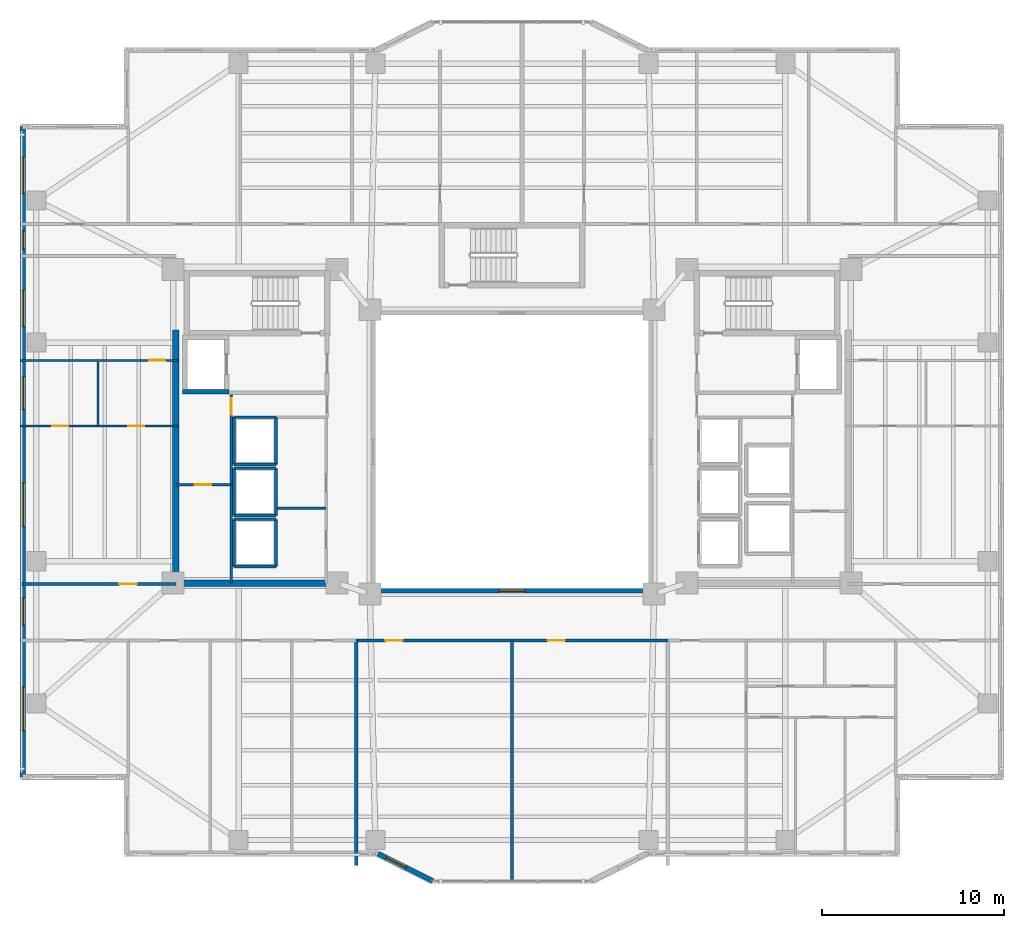
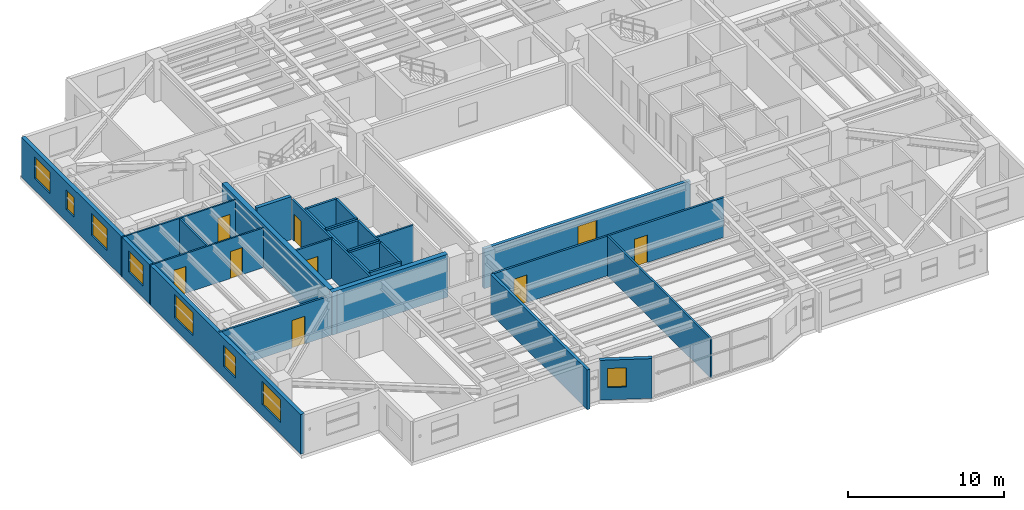
# One storey, part 6 of 18: 28 walls, 9 windows, 8 doors, 17 openings.
"""IFC4 building model written with IfcOpenShell, lengths in metres."""

from ifc_helpers import new_model, si_unit, direction, frame, frame_2d, origin, place, context, subcontext, project, spatial, rectangle, extrude, material, layer, layer_set, type_object, element, fill, save


model = new_model("IFC4")

# Units and contexts
model_context = context("Model", 3, precision=1e-05, world=origin(), true_north=direction((0.0, 1.0)))
body_context = subcontext(model_context, "Body", "Model", "MODEL_VIEW")
ifc_project = project(units=[si_unit("LENGTHUNIT", "METRE"), si_unit("AREAUNIT", "SQUARE_METRE"), si_unit("VOLUMEUNIT", "CUBIC_METRE"), si_unit("PLANEANGLEUNIT", "RADIAN"), si_unit("MASSUNIT", "GRAM", prefix="KILO")], contexts=[model_context])

# Site, building, storey
site_placement = place(None, origin())
site = spatial("IfcSite", under=ifc_project, at=site_placement, CompositionType="ELEMENT")
building_placement = place(site_placement, origin())
building = spatial("IfcBuilding", under=site, at=building_placement, Name="Tarnavaz Court Tower", CompositionType="ELEMENT")
storey_placement = place(building_placement, frame((0.0, 0.0, 108.449951171875)))
storey = spatial("IfcBuildingStorey", under=building, at=storey_placement, Name="L29", CompositionType="ELEMENT", Elevation=108.449951171875)

# Walls
ifc_material_1 = material(Name="Concrete C60/75", Category="concrete")
ifc_layer_1 = layer(ifc_material_1, 0.25)
ifc_layer_set_1 = layer_set([ifc_layer_1], Name="Concrete C60/75")
wall_type_1 = type_object("IfcWallType", Name="WL-CORE-250-C60", PredefinedType="SHEAR", material=ifc_layer_set_1)
wall_1_placement = place(storey_placement, frame((-18.074951171875, 3.300048828125, 0.0), z_axis=(0.0, 0.0, 1.0), x_axis=(1.0, 0.0, 0.0)))
element("IfcWall", 1, at=wall_1_placement, inside=storey, type_object=wall_type_1, Name="L29 Lift FL-W1 Shaft Wall 019", PredefinedType="SHEAR", context=body_context, shape_type="SweptSolid", body=[
    extrude(rectangle(XDim=2.550048828125, YDim=0.25, at=frame_2d((1.27490234375, 0.0))), origin(), (0.0, 0.0, 1.0), 3.35009765625),
])
ifc_layer_2 = layer(ifc_material_1, 0.35009765625)
ifc_layer_set_2 = layer_set([ifc_layer_2], Name="Concrete C60/75")
wall_type_2 = type_object("IfcWallType", Name="WL-CORE-350-C60", PredefinedType="SHEAR", material=ifc_layer_set_2)
wall_2_placement = place(storey_placement, frame((-18.449951171875, -7.375, 0.0), z_axis=(0.0, 0.0, 1.0), x_axis=(0.0, 1.0, 0.0)))
element("IfcWall", 2, at=wall_2_placement, inside=storey, type_object=wall_type_2, Name="L29 West Core Shear Wall 057", PredefinedType="SHEAR", context=body_context, shape_type="SweptSolid", body=[
    extrude(rectangle(XDim=14.050048828125, YDim=0.35009765625, at=frame_2d((7.02490234375, 0.0))), origin(), (0.0, 0.0, 1.0), 3.35009765625),
])
wall_3_placement = place(storey_placement, frame((-18.625, -7.199951171875, 0.0), z_axis=(0.0, 0.0, 1.0), x_axis=(1.0, 0.0, 0.0)))
element("IfcWall", 3, at=wall_3_placement, inside=storey, type_object=wall_type_2, Name="L29 West Core South Shear Wall 058", PredefinedType="SHEAR", context=body_context, shape_type="SweptSolid", body=[
    extrude(rectangle(XDim=8.550048828125, YDim=0.35009765625, at=frame_2d((4.27490234375, 0.0))), origin(), (0.0, 0.0, 1.0), 3.35009765625),
])

# Wall, openings, windows
ifc_material_2 = material(Name="Precast Concrete C40/50", Category="concrete")
ifc_layer_3 = layer(ifc_material_2, 0.280029296875)
ifc_layer_set_3 = layer_set([ifc_layer_3], Name="Precast Concrete C40/50")
wall_type_3 = type_object("IfcWallType", Name="WL-EXT-280", PredefinedType="SOLIDWALL", material=ifc_layer_set_3)
wall_4_placement = place(storey_placement, frame((-26.85009765625, -17.85009765625, 0.0), z_axis=(0.0, 0.0, 1.0), x_axis=(0.0, 1.0, 0.0)))
wall_4 = element("IfcWall", 4, at=wall_4_placement, inside=storey, type_object=wall_type_3, Name="L29 Exterior Terracotta Facade Wall 02", PredefinedType="SOLIDWALL", context=body_context, shape_type="SweptSolid", body=[
    extrude(rectangle(XDim=35.7001953125, YDim=0.280029296875, at=frame_2d((17.85009765625, 0.0))), origin(), (0.0, 0.0, 1.0), 3.10009765625),
])
opening_1_placement = place(wall_4_placement, frame((2.550048828125, 0.0, 0.89990234375)))
opening_1 = element("IfcOpeningElement", 5, at=opening_1_placement, cuts=wall_4, Name="Opening W06", PredefinedType="OPENING", context=body_context, shape_type="SweptSolid", body=[
    extrude(rectangle(XDim=2.39990234375, YDim=1.800048828125, at=frame_2d((1.199951171875, 0.89990234375))), frame((0.0, 0.14990234375, 0.0), z_axis=(0.0, -1.0, 0.0), x_axis=(1.0, 0.0, 0.0)), (0.0, 0.0, 1.0), 0.300048828125),
])
opening_2_placement = place(wall_4_placement, frame((8.342529296875, 0.0, 0.89990234375)))
opening_2 = element("IfcOpeningElement", 6, at=opening_2_placement, cuts=wall_4, Name="Opening W03", PredefinedType="OPENING", context=body_context, shape_type="SweptSolid", body=[
    extrude(rectangle(XDim=1.5, YDim=1.64990234375, at=frame_2d((0.75, 0.824951171875))), frame((0.0, 0.14990234375, 0.0), z_axis=(0.0, -1.0, 0.0), x_axis=(1.0, 0.0, 0.0)), (0.0, 0.0, 1.0), 0.300048828125),
])
opening_3_placement = place(wall_4_placement, frame((13.75, 0.0, 0.89990234375)))
opening_3 = element("IfcOpeningElement", 7, at=opening_3_placement, cuts=wall_4, Name="Opening W06", PredefinedType="OPENING", context=body_context, shape_type="SweptSolid", body=[
    extrude(rectangle(XDim=2.39990234375, YDim=1.800048828125, at=frame_2d((1.199951171875, 0.89990234375))), frame((0.0, 0.14990234375, 0.0), z_axis=(0.0, -1.0, 0.0), x_axis=(1.0, 0.0, 0.0)), (0.0, 0.0, 1.0), 0.300048828125),
])
opening_4_placement = place(wall_4_placement, frame((20.175048828125, 0.0, 0.89990234375)))
opening_4 = element("IfcOpeningElement", 8, at=opening_4_placement, cuts=wall_4, Name="Opening W01", PredefinedType="OPENING", context=body_context, shape_type="SweptSolid", body=[
    extrude(rectangle(XDim=1.800048828125, YDim=1.64990234375, at=frame_2d((0.89990234375, 0.824951171875))), frame((0.0, 0.14990234375, 0.0), z_axis=(0.0, -1.0, 0.0), x_axis=(1.0, 0.0, 0.0)), (0.0, 0.0, 1.0), 0.300048828125),
])
opening_5_placement = place(wall_4_placement, frame((24.72509765625, 0.0, 0.89990234375)))
opening_5 = element("IfcOpeningElement", 9, at=opening_5_placement, cuts=wall_4, Name="Opening W08", PredefinedType="OPENING", context=body_context, shape_type="SweptSolid", body=[
    extrude(rectangle(XDim=2.0, YDim=1.699951171875, at=frame_2d((1.0, 0.85009765625))), frame((0.0, 0.14990234375, 0.0), z_axis=(0.0, -1.0, 0.0), x_axis=(1.0, 0.0, 0.0)), (0.0, 0.0, 1.0), 0.300048828125),
])
opening_6_placement = place(wall_4_placement, frame((28.97509765625, 0.0, 0.949951171875)))
opening_6 = element("IfcOpeningElement", 10, at=opening_6_placement, cuts=wall_4, Name="Opening W14", PredefinedType="OPENING", context=body_context, shape_type="SweptSolid", body=[
    extrude(rectangle(XDim=1.0, YDim=1.5, at=frame_2d((0.5, 0.75))), frame((0.0, 0.14990234375, 0.0), z_axis=(0.0, -1.0, 0.0), x_axis=(1.0, 0.0, 0.0)), (0.0, 0.0, 1.0), 0.300048828125),
])
opening_7_placement = place(wall_4_placement, frame((32.02490234375, 0.0, 0.89990234375)))
opening_7 = element("IfcOpeningElement", 11, at=opening_7_placement, cuts=wall_4, Name="Opening W08", PredefinedType="OPENING", context=body_context, shape_type="SweptSolid", body=[
    extrude(rectangle(XDim=2.0, YDim=1.699951171875, at=frame_2d((1.0, 0.85009765625))), frame((0.0, 0.14990234375, 0.0), z_axis=(0.0, -1.0, 0.0), x_axis=(1.0, 0.0, 0.0)), (0.0, 0.0, 1.0), 0.300048828125),
])
ifc_material_3 = material(Name="Double-Glazed Solar Low-E Glass", Category="glass")
window_type_1 = type_object("IfcWindowType", Name="WN-APT-1000", PartitioningType="SINGLE_PANEL", PredefinedType="WINDOW", material=ifc_material_3)
window_1_placement = place(opening_6_placement, origin())
window_1 = element("IfcWindow", 12, at=window_1_placement, inside=storey, type_object=window_type_1, Name="L29 North-West Corner Corridor Window", OverallHeight=1.5, OverallWidth=1.0, PartitioningType="SINGLE_PANEL", PredefinedType="WINDOW", context=body_context, shape_type="SweptSolid", body=[
    extrude(rectangle(XDim=1.0, YDim=1.5, at=frame_2d((0.5, 0.75))), frame((0.0, 0.030029296875, 0.0), z_axis=(0.0, -1.0, 0.0), x_axis=(1.0, 0.0, 0.0)), (0.0, 0.0, 1.0), 0.06005859375),
])
fill(opening_6, window_1)
window_type_2 = type_object("IfcWindowType", Name="WN-APT-1500", PartitioningType="DOUBLE_PANEL_VERTICAL", PredefinedType="WINDOW", material=ifc_material_3)
window_2_placement = place(opening_2_placement, origin())
window_2 = element("IfcWindow", 13, at=window_2_placement, inside=storey, type_object=window_type_2, Name="L29 South-West Corner Corridor Window", OverallHeight=1.64990234375, OverallWidth=1.5, PartitioningType="SINGLE_PANEL", PredefinedType="WINDOW", context=body_context, shape_type="SweptSolid", body=[
    extrude(rectangle(XDim=1.5, YDim=1.64990234375, at=frame_2d((0.75, 0.824951171875))), frame((0.0, 0.030029296875, 0.0), z_axis=(0.0, -1.0, 0.0), x_axis=(1.0, 0.0, 0.0)), (0.0, 0.0, 1.0), 0.06005859375),
])
fill(opening_2, window_2)
window_type_3 = type_object("IfcWindowType", Name="WN-APT-1800", PartitioningType="DOUBLE_PANEL_VERTICAL", PredefinedType="WINDOW", material=ifc_material_3)
window_3_placement = place(opening_4_placement, origin())
window_3 = element("IfcWindow", 14, at=window_3_placement, inside=storey, type_object=window_type_3, Name="L29 Flat 02 Kitchen Window", OverallHeight=1.64990234375, OverallWidth=1.800048828125, PartitioningType="SINGLE_PANEL", PredefinedType="WINDOW", context=body_context, shape_type="SweptSolid", body=[
    extrude(rectangle(XDim=1.800048828125, YDim=1.64990234375, at=frame_2d((0.89990234375, 0.824951171875))), frame((0.0, 0.030029296875, 0.0), z_axis=(0.0, -1.0, 0.0), x_axis=(1.0, 0.0, 0.0)), (0.0, 0.0, 1.0), 0.06005859375),
])
fill(opening_4, window_3)
window_type_4 = type_object("IfcWindowType", Name="WN-APT-2000", PartitioningType="DOUBLE_PANEL_VERTICAL", PredefinedType="WINDOW", material=ifc_material_3)
window_4_placement = place(opening_5_placement, origin())
window_4 = element("IfcWindow", 15, at=window_4_placement, inside=storey, type_object=window_type_4, Name="L29 Flat 02 Study Room Window", OverallHeight=1.699951171875, OverallWidth=2.0, PartitioningType="SINGLE_PANEL", PredefinedType="WINDOW", context=body_context, shape_type="SweptSolid", body=[
    extrude(rectangle(XDim=2.0, YDim=1.699951171875, at=frame_2d((1.0, 0.85009765625))), frame((0.0, 0.030029296875, 0.0), z_axis=(0.0, -1.0, 0.0), x_axis=(1.0, 0.0, 0.0)), (0.0, 0.0, 1.0), 0.06005859375),
])
fill(opening_5, window_4)
window_5_placement = place(opening_7_placement, origin())
window_5 = element("IfcWindow", 16, at=window_5_placement, inside=storey, type_object=window_type_4, Name="L29 North-West Corner Sunroom Study Window", OverallHeight=1.699951171875, OverallWidth=2.0, PartitioningType="SINGLE_PANEL", PredefinedType="WINDOW", context=body_context, shape_type="SweptSolid", body=[
    extrude(rectangle(XDim=2.0, YDim=1.699951171875, at=frame_2d((1.0, 0.85009765625))), frame((0.0, 0.030029296875, 0.0), z_axis=(0.0, -1.0, 0.0), x_axis=(1.0, 0.0, 0.0)), (0.0, 0.0, 1.0), 0.06005859375),
])
fill(opening_7, window_5)
window_type_5 = type_object("IfcWindowType", Name="WN-APT-2400", PartitioningType="TRIPLE_PANEL_VERTICAL", PredefinedType="WINDOW", material=ifc_material_3)
window_6_placement = place(opening_1_placement, origin())
window_6 = element("IfcWindow", 17, at=window_6_placement, inside=storey, type_object=window_type_5, Name="L29 South-West Corner Reading Room Window", OverallHeight=1.800048828125, OverallWidth=2.39990234375, PartitioningType="SINGLE_PANEL", PredefinedType="WINDOW", context=body_context, shape_type="SweptSolid", body=[
    extrude(rectangle(XDim=2.39990234375, YDim=1.800048828125, at=frame_2d((1.199951171875, 0.89990234375))), frame((0.0, 0.030029296875, 0.0), z_axis=(0.0, -1.0, 0.0), x_axis=(1.0, 0.0, 0.0)), (0.0, 0.0, 1.0), 0.06005859375),
])
fill(opening_1, window_6)
window_7_placement = place(opening_3_placement, origin())
window_7 = element("IfcWindow", 18, at=window_7_placement, inside=storey, type_object=window_type_5, Name="L29 Flat 02 Studio Living and Sleeping Room Window", OverallHeight=1.800048828125, OverallWidth=2.39990234375, PartitioningType="SINGLE_PANEL", PredefinedType="WINDOW", context=body_context, shape_type="SweptSolid", body=[
    extrude(rectangle(XDim=2.39990234375, YDim=1.800048828125, at=frame_2d((1.199951171875, 0.89990234375))), frame((0.0, 0.030029296875, 0.0), z_axis=(0.0, -1.0, 0.0), x_axis=(1.0, 0.0, 0.0)), (0.0, 0.0, 1.0), 0.06005859375),
])
fill(opening_3, window_7)

# Wall, opening, window
wall_5_placement = place(storey_placement, frame((-4.35009765625, -23.550048828125, 0.0), z_axis=(0.0, 0.0, 1.0), x_axis=(-0.894427191, 0.4472135955, 0.0)))
wall_5 = element("IfcWall", 19, at=wall_5_placement, inside=storey, type_object=wall_type_3, Name="L29 Exterior Terracotta Facade Wall 18", PredefinedType="SOLIDWALL", context=body_context, shape_type="SweptSolid", body=[
    extrude(rectangle(XDim=3.35400390625, YDim=0.280029296875, at=frame_2d((1.677001953125, 0.0))), origin(), (0.0, 0.0, 1.0), 3.10009765625),
])
opening_8_placement = place(wall_5_placement, frame((1.65283203125, 0.0, 0.949951171875)))
opening_8 = element("IfcOpeningElement", 20, at=opening_8_placement, cuts=wall_5, Name="Opening W05", PredefinedType="OPENING", context=body_context, shape_type="SweptSolid", body=[
    extrude(rectangle(XDim=1.199951171875, YDim=1.5, at=frame_2d((0.60009765625, 0.75))), frame((0.0, 0.14990234375, 0.0), z_axis=(0.0, -1.0, 0.0), x_axis=(1.0, 0.0, 0.0)), (0.0, 0.0, 1.0), 0.300048828125),
])
window_type_6 = type_object("IfcWindowType", Name="WN-APT-1200", PartitioningType="SINGLE_PANEL", PredefinedType="WINDOW", material=ifc_material_3)
window_8_placement = place(opening_8_placement, origin())
window_8 = element("IfcWindow", 21, at=window_8_placement, inside=storey, type_object=window_type_6, Name="L29 South Courtyard Majlis Lounge Window", OverallHeight=1.5, OverallWidth=1.199951171875, PartitioningType="SINGLE_PANEL", PredefinedType="WINDOW", context=body_context, shape_type="SweptSolid", body=[
    extrude(rectangle(XDim=1.199951171875, YDim=1.5, at=frame_2d((0.60009765625, 0.75))), frame((0.0, 0.030029296875, 0.0), z_axis=(0.0, -1.0, 0.0), x_axis=(1.0, 0.0, 0.0)), (0.0, 0.0, 1.0), 0.06005859375),
])
fill(opening_8, window_8)

# Wall, openings, doors
ifc_material_4 = material(Name="Gypsum Fire-Board on Acoustic Metal Stud", Category="masonry")
ifc_layer_4 = layer(ifc_material_4, 0.14990234375)
ifc_layer_set_4 = layer_set([ifc_layer_4], Name="Gypsum Fire-Board on Acoustic Metal Stud")
wall_type_4 = type_object("IfcWallType", Name="WL-FIRE-150", PredefinedType="PARTITIONING", material=ifc_layer_set_4)
wall_6_placement = place(storey_placement, frame((-8.550048828125, -10.35009765625, 0.0), z_axis=(0.0, 0.0, 1.0), x_axis=(1.0, 0.0, 0.0)))
wall_6 = element("IfcWall", 22, at=wall_6_placement, inside=storey, type_object=wall_type_4, Name="L29 Interior Partition 093", PredefinedType="PARTITIONING", context=body_context, shape_type="SweptSolid", body=[
    extrude(rectangle(XDim=17.10009765625, YDim=0.14990234375, at=frame_2d((8.550048828125, 0.0))), origin(), (0.0, 0.0, 1.0), 3.10009765625),
])
opening_9_placement = place(wall_6_placement, frame((1.60009765625, 0.0, 0.0)))
opening_9 = element("IfcOpeningElement", 23, at=opening_9_placement, cuts=wall_6, Name="Opening D13", PredefinedType="OPENING", context=body_context, shape_type="SweptSolid", body=[
    extrude(rectangle(XDim=0.949951171875, YDim=2.14990234375, at=frame_2d((0.47509765625, 1.074951171875))), frame((0.0, 0.0849609375, 0.0), z_axis=(0.0, -1.0, 0.0), x_axis=(1.0, 0.0, 0.0)), (0.0, 0.0, 1.0), 0.169921875),
])
opening_10_placement = place(wall_6_placement, frame((10.5, 0.0, 0.0)))
opening_10 = element("IfcOpeningElement", 24, at=opening_10_placement, cuts=wall_6, Name="Opening D13", PredefinedType="OPENING", context=body_context, shape_type="SweptSolid", body=[
    extrude(rectangle(XDim=0.949951171875, YDim=2.14990234375, at=frame_2d((0.47509765625, 1.074951171875))), frame((0.0, 0.0849609375, 0.0), z_axis=(0.0, -1.0, 0.0), x_axis=(1.0, 0.0, 0.0)), (0.0, 0.0, 1.0), 0.169921875),
])
ifc_material_5 = material(Name="Engineered Oak Timber", Category="wood")
door_type_1 = type_object("IfcDoorType", Name="DR-INT-950", OperationType="NOTDEFINED", PredefinedType="DOOR", material=ifc_material_5)
door_1_placement = place(opening_9_placement, origin())
door_1 = element("IfcDoor", 25, at=door_1_placement, inside=storey, type_object=door_type_1, Name="L29 South Majlis Lounge Door", OperationType="SINGLE_SWING_LEFT", OverallHeight=2.14990234375, OverallWidth=0.949951171875, PredefinedType="DOOR", context=body_context, shape_type="SweptSolid", body=[
    extrude(rectangle(XDim=0.949951171875, YDim=2.14990234375, at=frame_2d((0.47509765625, 1.074951171875))), frame((0.0, 0.02490234375, 0.0), z_axis=(0.0, -1.0, 0.0), x_axis=(1.0, 0.0, 0.0)), (0.0, 0.0, 1.0), 0.050048828125),
])
fill(opening_9, door_1)
door_2_placement = place(opening_10_placement, origin())
door_2 = element("IfcDoor", 26, at=door_2_placement, inside=storey, type_object=door_type_1, Name="L29 South Reading Room Door", OperationType="SINGLE_SWING_RIGHT", OverallHeight=2.14990234375, OverallWidth=0.949951171875, PredefinedType="DOOR", context=body_context, shape_type="SweptSolid", body=[
    extrude(rectangle(XDim=0.949951171875, YDim=2.14990234375, at=frame_2d((0.47509765625, 1.074951171875))), frame((0.0, 0.02490234375, 0.0), z_axis=(0.0, -1.0, 0.0), x_axis=(1.0, 0.0, 0.0)), (0.0, 0.0, 1.0), 0.050048828125),
])
fill(opening_10, door_2)

# Wall, opening, door
wall_7_placement = place(storey_placement, frame((-26.8798828125, -7.25, 0.0), z_axis=(0.0, 0.0, 1.0), x_axis=(1.0, 0.0, 0.0)))
wall_7 = element("IfcWall", 27, at=wall_7_placement, inside=storey, type_object=wall_type_4, Name="L29 Interior Partition 095", PredefinedType="PARTITIONING", context=body_context, shape_type="SweptSolid", body=[
    extrude(rectangle(XDim=8.429931640625, YDim=0.14990234375, at=frame_2d((4.21484375, 0.0))), origin(), (0.0, 0.0, 1.0), 3.10009765625),
])
opening_11_placement = place(wall_7_placement, frame((5.330078125, 0.0, 0.0)))
opening_11 = element("IfcOpeningElement", 28, at=opening_11_placement, cuts=wall_7, Name="Opening D06", PredefinedType="OPENING", context=body_context, shape_type="SweptSolid", body=[
    extrude(rectangle(XDim=0.9599609375, YDim=2.14990234375, at=frame_2d((0.47998046875, 1.074951171875))), frame((0.0, 0.0849609375, 0.0), z_axis=(0.0, -1.0, 0.0), x_axis=(1.0, 0.0, 0.0)), (0.0, 0.0, 1.0), 0.169921875),
])
ifc_material_6 = material(Name="Fire-Rated Hardwood Timber Core", Category="wood")
door_type_2 = type_object("IfcDoorType", Name="DR-FD60-950", OperationType="NOTDEFINED", PredefinedType="DOOR", material=ifc_material_6)
door_3_placement = place(opening_11_placement, origin())
door_3 = element("IfcDoor", 29, at=door_3_placement, inside=storey, type_object=door_type_2, Name="L29 Flat 02 Entrance Door", OperationType="SINGLE_SWING_LEFT", OverallHeight=2.14990234375, OverallWidth=0.9599609375, PredefinedType="DOOR", context=body_context, shape_type="SweptSolid", body=[
    extrude(rectangle(XDim=0.9599609375, YDim=2.14990234375, at=frame_2d((0.47998046875, 1.074951171875))), frame((0.0, 0.02490234375, 0.0), z_axis=(0.0, -1.0, 0.0), x_axis=(1.0, 0.0, 0.0)), (0.0, 0.0, 1.0), 0.050048828125),
])
fill(opening_11, door_3)

# Wall
ifc_material_7 = material(Name="Autoclaved Aerated Concrete Blockwork", Category="masonry")
ifc_layer_5 = layer(ifc_material_7, 0.199951171875)
ifc_layer_set_5 = layer_set([ifc_layer_5], Name="Autoclaved Aerated Concrete Blockwork")
wall_type_5 = type_object("IfcWallType", Name="WL-FIRE-200", PredefinedType="SOLIDWALL", material=ifc_layer_set_5)
wall_8_placement = place(storey_placement, frame((-8.550048828125, -22.7041015625, 0.0), z_axis=(0.0, 0.0, 1.0), x_axis=(0.0, 1.0, 0.0)))
element("IfcWall", 30, at=wall_8_placement, inside=storey, type_object=wall_type_5, Name="L29 Party Wall 091", PredefinedType="SOLIDWALL", context=body_context, shape_type="SweptSolid", body=[
    extrude(rectangle(XDim=12.35400390625, YDim=0.199951171875, at=frame_2d((6.177001953125, 0.0))), origin(), (0.0, 0.0, 1.0), 3.10009765625),
])

# Wall, openings, doors
ifc_material_8 = material(Name="Moisture-Resistant Gypsum Board Partition", Category="masonry")
ifc_layer_6 = layer(ifc_material_8, 0.1201171875)
ifc_layer_set_6 = layer_set([ifc_layer_6], Name="Moisture-Resistant Gypsum Board Partition")
wall_type_6 = type_object("IfcWallType", Name="WL-PART-120", PredefinedType="PARTITIONING", material=ifc_layer_set_6)
wall_9_placement = place(storey_placement, frame((-27.0, 1.419921875, 0.0), z_axis=(0.0, 0.0, 1.0), x_axis=(1.0, 0.0, 0.0)))
wall_9 = element("IfcWall", 31, at=wall_9_placement, inside=storey, type_object=wall_type_6, Name="L29 Interior Partition 107", PredefinedType="PARTITIONING", context=body_context, shape_type="SweptSolid", body=[
    extrude(rectangle(XDim=8.669921875, YDim=0.1201171875, at=frame_2d((4.3349609375, 0.0))), origin(), (0.0, 0.0, 1.0), 3.10009765625),
])
opening_12_placement = place(wall_9_placement, frame((1.762939453125, 0.0, 0.0)))
opening_12 = element("IfcOpeningElement", 32, at=opening_12_placement, cuts=wall_9, Name="Opening D14", PredefinedType="OPENING", context=body_context, shape_type="SweptSolid", body=[
    extrude(rectangle(XDim=0.8798828125, YDim=2.10009765625, at=frame_2d((0.43994140625, 1.050048828125))), frame((0.0, 0.070068359375, 0.0), z_axis=(0.0, -1.0, 0.0), x_axis=(1.0, 0.0, 0.0)), (0.0, 0.0, 1.0), 0.14013671875),
])
opening_13_placement = place(wall_9_placement, frame((5.927978515625, 0.0, 0.0)))
opening_13 = element("IfcOpeningElement", 33, at=opening_13_placement, cuts=wall_9, Name="Opening D14", PredefinedType="OPENING", context=body_context, shape_type="SweptSolid", body=[
    extrude(rectangle(XDim=0.8798828125, YDim=2.10009765625, at=frame_2d((0.43994140625, 1.050048828125))), frame((0.0, 0.070068359375, 0.0), z_axis=(0.0, -1.0, 0.0), x_axis=(1.0, 0.0, 0.0)), (0.0, 0.0, 1.0), 0.14013671875),
])
door_type_3 = type_object("IfcDoorType", Name="DR-INT-900", OperationType="NOTDEFINED", PredefinedType="DOOR", material=ifc_material_5)
door_4_placement = place(opening_12_placement, origin())
door_4 = element("IfcDoor", 34, at=door_4_placement, inside=storey, type_object=door_type_3, Name="L29 Flat 02 Kitchen Door", OperationType="SINGLE_SWING_RIGHT", OverallHeight=2.10009765625, OverallWidth=0.8798828125, PredefinedType="DOOR", context=body_context, shape_type="SweptSolid", body=[
    extrude(rectangle(XDim=0.8798828125, YDim=2.10009765625, at=frame_2d((0.43994140625, 1.050048828125))), frame((0.0, 0.02490234375, 0.0), z_axis=(0.0, -1.0, 0.0), x_axis=(1.0, 0.0, 0.0)), (0.0, 0.0, 1.0), 0.050048828125),
])
fill(opening_12, door_4)
door_5_placement = place(opening_13_placement, origin())
door_5 = element("IfcDoor", 35, at=door_5_placement, inside=storey, type_object=door_type_3, Name="L29 Flat 02 Bathroom Door", OperationType="SINGLE_SWING_LEFT", OverallHeight=2.10009765625, OverallWidth=0.8798828125, PredefinedType="DOOR", context=body_context, shape_type="SweptSolid", body=[
    extrude(rectangle(XDim=0.8798828125, YDim=2.10009765625, at=frame_2d((0.43994140625, 1.050048828125))), frame((0.0, 0.02490234375, 0.0), z_axis=(0.0, -1.0, 0.0), x_axis=(1.0, 0.0, 0.0)), (0.0, 0.0, 1.0), 0.050048828125),
])
fill(opening_13, door_5)

# Wall, opening, door
wall_10_placement = place(storey_placement, frame((-27.0, 5.02001953125, 0.0), z_axis=(0.0, 0.0, 1.0), x_axis=(1.0, 0.0, 0.0)))
wall_10 = element("IfcWall", 36, at=wall_10_placement, inside=storey, type_object=wall_type_6, Name="L29 Interior Partition 108", PredefinedType="PARTITIONING", context=body_context, shape_type="SweptSolid", body=[
    extrude(rectangle(XDim=8.669921875, YDim=0.1201171875, at=frame_2d((4.3349609375, 0.0))), origin(), (0.0, 0.0, 1.0), 3.10009765625),
])
opening_14_placement = place(wall_10_placement, frame((7.10009765625, 0.0, 0.0)))
opening_14 = element("IfcOpeningElement", 37, at=opening_14_placement, cuts=wall_10, Name="Opening D14", PredefinedType="OPENING", context=body_context, shape_type="SweptSolid", body=[
    extrude(rectangle(XDim=0.8798828125, YDim=2.10009765625, at=frame_2d((0.43994140625, 1.050048828125))), frame((0.0, 0.070068359375, 0.0), z_axis=(0.0, -1.0, 0.0), x_axis=(1.0, 0.0, 0.0)), (0.0, 0.0, 1.0), 0.14013671875),
])
door_6_placement = place(opening_14_placement, origin())
door_6 = element("IfcDoor", 38, at=door_6_placement, inside=storey, type_object=door_type_3, Name="L29 Flat 02 Study Door", OperationType="SINGLE_SWING_RIGHT", OverallHeight=2.10009765625, OverallWidth=0.8798828125, PredefinedType="DOOR", context=body_context, shape_type="SweptSolid", body=[
    extrude(rectangle(XDim=0.8798828125, YDim=2.10009765625, at=frame_2d((0.43994140625, 1.050048828125))), frame((0.0, 0.02490234375, 0.0), z_axis=(0.0, -1.0, 0.0), x_axis=(1.0, 0.0, 0.0)), (0.0, 0.0, 1.0), 0.050048828125),
])
fill(opening_14, door_6)

# Wall
wall_11_placement = place(storey_placement, frame((-22.715087890625, 1.360107421875, 0.0), z_axis=(0.0, 0.0, 1.0), x_axis=(0.0, 1.0, 0.0)))
element("IfcWall", 39, at=wall_11_placement, inside=storey, type_object=wall_type_6, Name="L29 Interior Partition 109", PredefinedType="PARTITIONING", context=body_context, shape_type="SweptSolid", body=[
    extrude(rectangle(XDim=3.579833984375, YDim=0.1201171875, at=frame_2d((1.7900390625, 0.0))), origin(), (0.0, 0.0, 1.0), 3.10009765625),
])

# Wall, opening, door
ifc_material_9 = material(Name="Gypsum Plasterboard Acoustic Partition", Category="masonry")
ifc_layer_7 = layer(ifc_material_9, 0.139892578125)
ifc_layer_set_7 = layer_set([ifc_layer_7], Name="Gypsum Plasterboard Acoustic Partition")
wall_type_7 = type_object("IfcWallType", Name="WL-PART-150", PredefinedType="PARTITIONING", material=ifc_layer_set_7)
wall_12_placement = place(storey_placement, frame((-15.39990234375, -7.199951171875, 0.0), z_axis=(0.0, 0.0, 1.0), x_axis=(0.0, 1.0, 0.0)))
wall_12 = element("IfcWall", 40, at=wall_12_placement, inside=storey, type_object=wall_type_7, Name="L29 Interior Partition 063", PredefinedType="PARTITIONING", context=body_context, shape_type="SweptSolid", body=[
    extrude(rectangle(XDim=10.449951171875, YDim=0.139892578125, at=frame_2d((5.22509765625, 0.0))), origin(), (0.0, 0.0, 1.0), 3.10009765625),
])
opening_15_placement = place(wall_12_placement, frame((9.25, 0.0, 0.0)))
opening_15 = element("IfcOpeningElement", 41, at=opening_15_placement, cuts=wall_12, Name="Opening D09", PredefinedType="OPENING", context=body_context, shape_type="SweptSolid", body=[
    extrude(rectangle(XDim=0.89990234375, YDim=2.080078125, at=frame_2d((0.449951171875, 1.0400390625))), frame((0.0, 0.079833984375, 0.0), z_axis=(0.0, -1.0, 0.0), x_axis=(1.0, 0.0, 0.0)), (0.0, 0.0, 1.0), 0.159912109375),
])
door_type_4 = type_object("IfcDoorType", Name="DR-FD30-900", OperationType="NOTDEFINED", PredefinedType="DOOR", material=ifc_material_6)
door_7_placement = place(opening_15_placement, origin())
door_7 = element("IfcDoor", 42, at=door_7_placement, inside=storey, type_object=door_type_4, Name="L29 West Telecom Room Door", OperationType="SINGLE_SWING_RIGHT", OverallHeight=2.080078125, OverallWidth=0.89990234375, PredefinedType="DOOR", context=body_context, shape_type="SweptSolid", body=[
    extrude(rectangle(XDim=0.89990234375, YDim=2.080078125, at=frame_2d((0.449951171875, 1.0400390625))), frame((0.0, 0.02490234375, 0.0), z_axis=(0.0, -1.0, 0.0), x_axis=(1.0, 0.0, 0.0)), (0.0, 0.0, 1.0), 0.050048828125),
])
fill(opening_15, door_7)

wall_13_placement = place(storey_placement, frame((-18.449951171875, -1.800048828125, 0.0), z_axis=(0.0, 0.0, 1.0), x_axis=(1.0, 0.0, 0.0)))
wall_13 = element("IfcWall", 43, at=wall_13_placement, inside=storey, type_object=wall_type_7, Name="L29 Interior Partition 064", PredefinedType="PARTITIONING", context=body_context, shape_type="SweptSolid", body=[
    extrude(rectangle(XDim=3.050048828125, YDim=0.139892578125, at=frame_2d((1.52490234375, 0.0))), origin(), (0.0, 0.0, 1.0), 3.10009765625),
])
opening_16_placement = place(wall_13_placement, frame((1.050048828125, 0.0, 0.0)))
opening_16 = element("IfcOpeningElement", 44, at=opening_16_placement, cuts=wall_13, Name="Opening D09", PredefinedType="OPENING", context=body_context, shape_type="SweptSolid", body=[
    extrude(rectangle(XDim=0.89990234375, YDim=2.080078125, at=frame_2d((0.449951171875, 1.0400390625))), frame((0.0, 0.079833984375, 0.0), z_axis=(0.0, -1.0, 0.0), x_axis=(1.0, 0.0, 0.0)), (0.0, 0.0, 1.0), 0.159912109375),
])
door_8_placement = place(opening_16_placement, origin())
door_8 = element("IfcDoor", 45, at=door_8_placement, inside=storey, type_object=door_type_4, Name="L29 West Electrical Room Door", OperationType="SINGLE_SWING_LEFT", OverallHeight=2.080078125, OverallWidth=0.89990234375, PredefinedType="DOOR", context=body_context, shape_type="SweptSolid", body=[
    extrude(rectangle(XDim=0.89990234375, YDim=2.080078125, at=frame_2d((0.449951171875, 1.0400390625))), frame((0.0, 0.02490234375, 0.0), z_axis=(0.0, -1.0, 0.0), x_axis=(1.0, 0.0, 0.0)), (0.0, 0.0, 1.0), 0.050048828125),
])
fill(opening_16, door_8)

# Walls
wall_14_placement = place(storey_placement, frame((-12.89990234375, -3.10009765625, 0.0), z_axis=(0.0, 0.0, 1.0), x_axis=(1.0, 0.0, 0.0)))
element("IfcWall", 46, at=wall_14_placement, inside=storey, type_object=wall_type_7, Name="L29 Interior Partition 066", PredefinedType="PARTITIONING", context=body_context, shape_type="SweptSolid", body=[
    extrude(rectangle(XDim=2.699951171875, YDim=0.139892578125, at=frame_2d((1.35009765625, 0.0))), origin(), (0.0, 0.0, 1.0), 3.10009765625),
])
wall_15_placement = place(storey_placement, frame((0.0, -23.580078125, 0.0), z_axis=(0.0, 0.0, 1.0), x_axis=(0.0, 1.0, 0.0)))
element("IfcWall", 47, at=wall_15_placement, inside=storey, type_object=wall_type_7, Name="L29 Interior Partition 094", PredefinedType="PARTITIONING", context=body_context, shape_type="SweptSolid", body=[
    extrude(rectangle(XDim=13.22998046875, YDim=0.139892578125, at=frame_2d((6.614990234375, 0.0))), origin(), (0.0, 0.0, 1.0), 3.10009765625),
])
ifc_layer_8 = layer(ifc_material_7, 0.159912109375)
ifc_layer_set_8 = layer_set([ifc_layer_8], Name="Autoclaved Aerated Concrete Blockwork")
wall_type_8 = type_object("IfcWallType", Name="WL-SHAFT-150", PredefinedType="SOLIDWALL", material=ifc_layer_set_8)
for number, where, z_axis, x_axis, name in (
    (48, (-15.25, -6.300048828125, 0.0), (0.0, 0.0, 1.0), (0.0, 1.0, 0.0), "L29 Lift PL-H1 Shaft Wall 021"),
    (49, (-12.949951171875, -6.300048828125, 0.0), (0.0, 0.0, 1.0), (0.0, 1.0, 0.0), "L29 Lift PL-H1 Shaft Wall 022"),
):
    element("IfcWall", number, at=place(storey_placement, frame(where, z_axis=z_axis, x_axis=x_axis)), inside=storey, type_object=wall_type_8, Name=name, PredefinedType="SOLIDWALL", context=body_context, shape_type="SweptSolid", body=[
        extrude(rectangle(XDim=2.60009765625, YDim=0.159912109375, at=frame_2d((1.300048828125, 0.0))), origin(), (0.0, 0.0, 1.0), 3.10009765625),
    ])
for number, where, z_axis, x_axis, name in (
    (50, (-15.25, -6.300048828125, 0.0), (0.0, 0.0, 1.0), (1.0, 0.0, 0.0), "L29 Lift PL-H1 Shaft Wall 023"),
    (51, (-15.25, -3.699951171875, 0.0), (0.0, 0.0, 1.0), (1.0, 0.0, 0.0), "L29 Lift PL-H1 Shaft Wall 024"),
):
    element("IfcWall", number, at=place(storey_placement, frame(where, z_axis=z_axis, x_axis=x_axis)), inside=storey, type_object=wall_type_8, Name=name, PredefinedType="SOLIDWALL", context=body_context, shape_type="SweptSolid", body=[
        extrude(rectangle(XDim=2.300048828125, YDim=0.159912109375, at=frame_2d((1.14990234375, 0.0))), origin(), (0.0, 0.0, 1.0), 3.10009765625),
    ])
for number, where, z_axis, x_axis, name in (
    (52, (-15.25, -3.5, 0.0), (0.0, 0.0, 1.0), (0.0, 1.0, 0.0), "L29 Lift PL-H2 Shaft Wall 025"),
    (53, (-12.949951171875, -3.5, 0.0), (0.0, 0.0, 1.0), (0.0, 1.0, 0.0), "L29 Lift PL-H2 Shaft Wall 026"),
):
    element("IfcWall", number, at=place(storey_placement, frame(where, z_axis=z_axis, x_axis=x_axis)), inside=storey, type_object=wall_type_8, Name=name, PredefinedType="SOLIDWALL", context=body_context, shape_type="SweptSolid", body=[
        extrude(rectangle(XDim=2.60009765625, YDim=0.159912109375, at=frame_2d((1.300048828125, 0.0))), origin(), (0.0, 0.0, 1.0), 3.10009765625),
    ])
for number, where, z_axis, x_axis, name in (
    (54, (-15.25, -3.5, 0.0), (0.0, 0.0, 1.0), (1.0, 0.0, 0.0), "L29 Lift PL-H2 Shaft Wall 027"),
    (55, (-15.25, -0.89990234375, 0.0), (0.0, 0.0, 1.0), (1.0, 0.0, 0.0), "L29 Lift PL-H2 Shaft Wall 028"),
):
    element("IfcWall", number, at=place(storey_placement, frame(where, z_axis=z_axis, x_axis=x_axis)), inside=storey, type_object=wall_type_8, Name=name, PredefinedType="SOLIDWALL", context=body_context, shape_type="SweptSolid", body=[
        extrude(rectangle(XDim=2.300048828125, YDim=0.159912109375, at=frame_2d((1.14990234375, 0.0))), origin(), (0.0, 0.0, 1.0), 3.10009765625),
    ])
for number, where, z_axis, x_axis, name in (
    (56, (-15.25, -0.699951171875, 0.0), (0.0, 0.0, 1.0), (0.0, 1.0, 0.0), "L29 Lift PL-H3 Shaft Wall 029"),
    (57, (-12.949951171875, -0.699951171875, 0.0), (0.0, 0.0, 1.0), (0.0, 1.0, 0.0), "L29 Lift PL-H3 Shaft Wall 030"),
):
    element("IfcWall", number, at=place(storey_placement, frame(where, z_axis=z_axis, x_axis=x_axis)), inside=storey, type_object=wall_type_8, Name=name, PredefinedType="SOLIDWALL", context=body_context, shape_type="SweptSolid", body=[
        extrude(rectangle(XDim=2.599853515625, YDim=0.159912109375, at=frame_2d((1.2998046875, 0.0))), origin(), (0.0, 0.0, 1.0), 3.10009765625),
    ])
for number, where, z_axis, x_axis, name in (
    (58, (-15.25, -0.699951171875, 0.0), (0.0, 0.0, 1.0), (1.0, 0.0, 0.0), "L29 Lift PL-H3 Shaft Wall 031"),
    (59, (-15.25, 1.89990234375, 0.0), (0.0, 0.0, 1.0), (1.0, 0.0, 0.0), "L29 Lift PL-H3 Shaft Wall 032"),
):
    element("IfcWall", number, at=place(storey_placement, frame(where, z_axis=z_axis, x_axis=x_axis)), inside=storey, type_object=wall_type_8, Name=name, PredefinedType="SOLIDWALL", context=body_context, shape_type="SweptSolid", body=[
        extrude(rectangle(XDim=2.300048828125, YDim=0.159912109375, at=frame_2d((1.14990234375, 0.0))), origin(), (0.0, 0.0, 1.0), 3.10009765625),
    ])

# Wall, opening, window
ifc_layer_9 = layer(ifc_material_2, 0.239990234375)
ifc_layer_set_9 = layer_set([ifc_layer_9], Name="Precast Concrete C40/50")
wall_type_9 = type_object("IfcWallType", Name="WL-WELL-240", PredefinedType="SOLIDWALL", material=ifc_layer_set_9)
wall_16_placement = place(storey_placement, frame((-7.6201171875, -7.6201171875, 0.0), z_axis=(0.0, 0.0, 1.0), x_axis=(1.0, 0.0, 0.0)))
wall_16 = element("IfcWall", 60, at=wall_16_placement, inside=storey, type_object=wall_type_9, Name="L29 Badgir Light-Well Exterior Wall S", PredefinedType="SOLIDWALL", context=body_context, shape_type="SweptSolid", body=[
    extrude(rectangle(XDim=15.240234375, YDim=0.239990234375, at=frame_2d((7.6201171875, 0.0))), origin(), (0.0, 0.0, 1.0), 3.10009765625),
])
opening_17_placement = place(wall_16_placement, frame((6.919921875, 0.0, 0.949951171875)))
opening_17 = element("IfcOpeningElement", 61, at=opening_17_placement, cuts=wall_16, Name="Opening W13", PredefinedType="OPENING", context=body_context, shape_type="SweptSolid", body=[
    extrude(rectangle(XDim=1.39990234375, YDim=1.5, at=frame_2d((0.699951171875, 0.75))), frame((0.0, 0.1298828125, 0.0), z_axis=(0.0, -1.0, 0.0), x_axis=(1.0, 0.0, 0.0)), (0.0, 0.0, 1.0), 0.260009765625),
])
window_type_7 = type_object("IfcWindowType", Name="WN-WEL-1400", PartitioningType="SINGLE_PANEL", PredefinedType="WINDOW", material=ifc_material_3)
window_9_placement = place(opening_17_placement, origin())
window_9 = element("IfcWindow", 62, at=window_9_placement, inside=storey, type_object=window_type_7, Name="L29 Courtyard Gallery Window S", OverallHeight=1.5, OverallWidth=1.39990234375, PartitioningType="SINGLE_PANEL", PredefinedType="WINDOW", context=body_context, shape_type="SweptSolid", body=[
    extrude(rectangle(XDim=1.39990234375, YDim=1.5, at=frame_2d((0.699951171875, 0.75))), frame((0.0, 0.030029296875, 0.0), z_axis=(0.0, -1.0, 0.0), x_axis=(1.0, 0.0, 0.0)), (0.0, 0.0, 1.0), 0.06005859375),
])
fill(opening_17, window_9)

save(model, "model.ifc")
